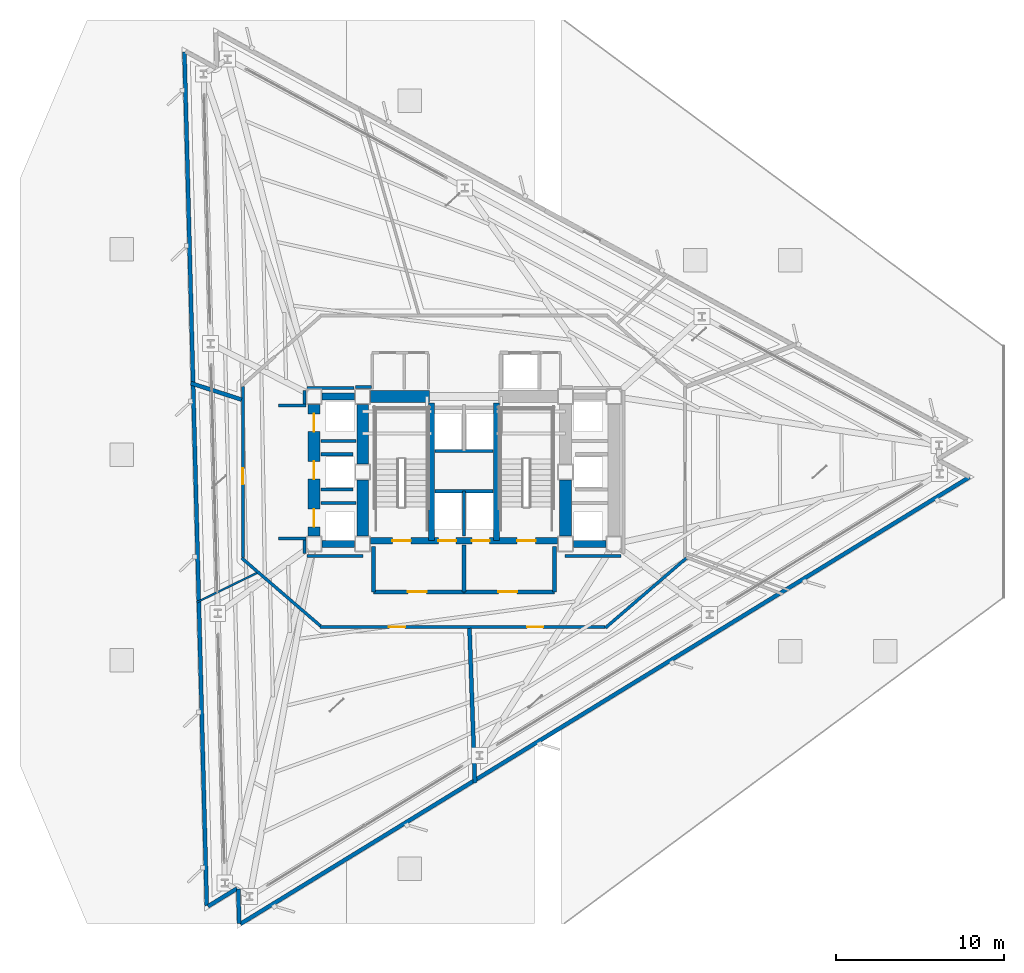
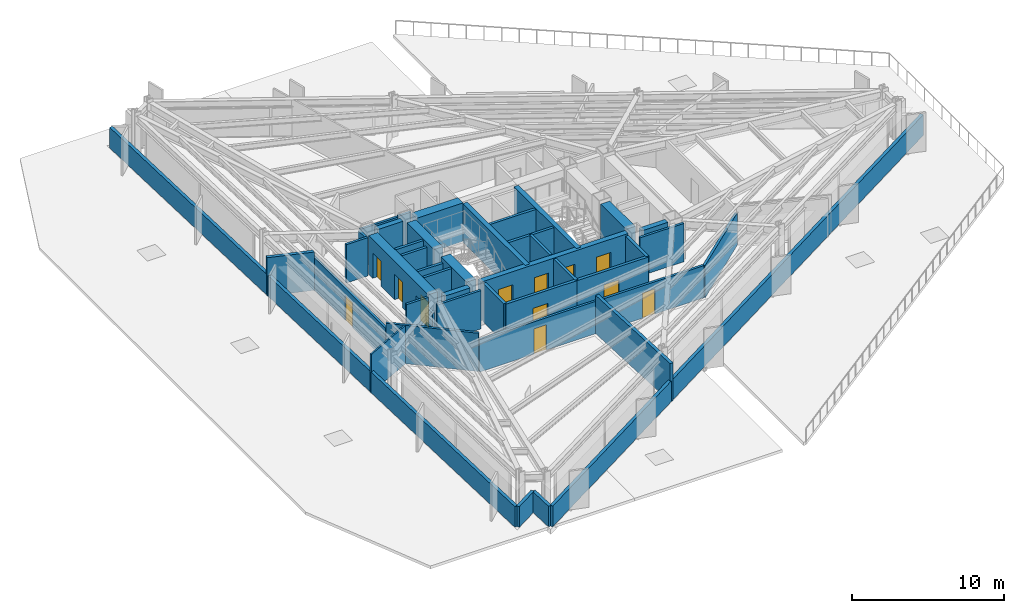
# One storey, part 8 of 13: 42 walls, 12 doors, 12 openings.
"""IFC4 building model written with IfcOpenShell, lengths in metres."""

from ifc_helpers import new_model, si_unit, direction, frame, frame_2d, origin, place, context, subcontext, project, spatial, rectangle, extrude, material, layer, layer_set, type_object, element, fill, save


model = new_model("IFC4")

# Units and contexts
model_context = context("Model", 3, precision=1e-05, world=origin(), true_north=direction((0.0, 1.0)))
body_context = subcontext(model_context, "Body", "Model", "MODEL_VIEW")
ifc_project = project(units=[si_unit("LENGTHUNIT", "METRE"), si_unit("AREAUNIT", "SQUARE_METRE"), si_unit("VOLUMEUNIT", "CUBIC_METRE"), si_unit("PLANEANGLEUNIT", "RADIAN"), si_unit("MASSUNIT", "GRAM", prefix="KILO")], contexts=[model_context])

# Site, building, storey
site_placement = place(None, origin())
site = spatial("IfcSite", under=ifc_project, at=site_placement, CompositionType="ELEMENT")
building_placement = place(site_placement, origin())
building = spatial("IfcBuilding", under=site, at=building_placement, Name="Rocaltana Carrier Exchange", CompositionType="ELEMENT")
storey_placement = place(building_placement, frame((0.0, 0.0, 18.8798828125)))
storey = spatial("IfcBuildingStorey", under=building, at=storey_placement, Name="L06", CompositionType="ELEMENT", Elevation=18.8798828125)

# Walls
ifc_material_1 = material(Name="Concrete C50/60", Category="concrete")
ifc_layer_1 = layer(ifc_material_1, 0.35009765625)
ifc_layer_set_1 = layer_set([ifc_layer_1], Name="Concrete C50/60")
wall_type_1 = type_object("IfcWallType", Name="Core Internal Shear Wall 350", PredefinedType="SHEAR", material=ifc_layer_set_1)
for number, where, z_axis, x_axis, name in (
    (1, (-1.93994140625, -4.10009765625, 0.0), (0.0, 0.0, 1.0), (0.0, 1.0, 0.0), "L06 Core Shear Wall CW-STW"),
    (2, (1.93994140625, -4.10009765625, 0.0), (0.0, 0.0, 1.0), (0.0, 1.0, 0.0), "L06 Core Shear Wall CW-STE"),
):
    element("IfcWall", number, at=place(storey_placement, frame(where, z_axis=z_axis, x_axis=x_axis)), inside=storey, type_object=wall_type_1, Name=name, PredefinedType="SHEAR", context=body_context, shape_type="SweptSolid", body=[
        extrude(rectangle(XDim=8.2001953125, YDim=0.35009765625, at=frame_2d((4.10009765625, 0.0))), origin(), (0.0, 0.0, 1.0), 3.09814453125),
    ])

# Wall, openings, doors
ifc_material_2 = material(Name="Concrete C50/60", Category="concrete")
ifc_layer_2 = layer(ifc_material_2, 0.39990234375)
ifc_layer_set_2 = layer_set([ifc_layer_2], Name="Concrete C50/60")
wall_type_2 = type_object("IfcWallType", Name="Core Internal Shear Wall 400", PredefinedType="SHEAR", material=ifc_layer_set_2)
wall_1_placement = place(storey_placement, frame((-5.574951171875, -4.10009765625, 0.0), z_axis=(0.0, 0.0, 1.0), x_axis=(1.0, 0.0, 0.0)))
wall_1 = element("IfcWall", 3, at=wall_1_placement, inside=storey, type_object=wall_type_2, Name="L06 Core Shear Wall CW-S", PredefinedType="SHEAR", context=body_context, shape_type="SweptSolid", body=[
    extrude(rectangle(XDim=11.14990234375, YDim=0.39990234375, at=frame_2d((5.574951171875, 0.0))), origin(), (0.0, 0.0, 1.0), 3.09814453125),
])
opening_1_placement = place(wall_1_placement, frame((1.304931640625, 0.0, 0.0)))
opening_1 = element("IfcOpeningElement", 4, at=opening_1_placement, cuts=wall_1, Name="Opening D-ST110", PredefinedType="OPENING", context=body_context, shape_type="SweptSolid", body=[
    extrude(rectangle(XDim=1.10009765625, YDim=2.0400390625, at=frame_2d((0.550048828125, 1.02001953125))), frame((0.0, 0.2099609375, 0.0), z_axis=(0.0, -1.0, 0.0), x_axis=(1.0, 0.0, 0.0)), (0.0, 0.0, 1.0), 0.419921875),
])
opening_2_placement = place(wall_1_placement, frame((8.7451171875, 0.0, 0.0)))
opening_2 = element("IfcOpeningElement", 5, at=opening_2_placement, cuts=wall_1, Name="Opening D-ST110", PredefinedType="OPENING", context=body_context, shape_type="SweptSolid", body=[
    extrude(rectangle(XDim=1.10009765625, YDim=2.0400390625, at=frame_2d((0.550048828125, 1.02001953125))), frame((0.0, 0.2099609375, 0.0), z_axis=(0.0, -1.0, 0.0), x_axis=(1.0, 0.0, 0.0)), (0.0, 0.0, 1.0), 0.419921875),
])
opening_3_placement = place(wall_1_placement, frame((4.044921875, 0.0, 0.0)))
opening_3 = element("IfcOpeningElement", 6, at=opening_3_placement, cuts=wall_1, Name="Opening LD-110", PredefinedType="OPENING", context=body_context, shape_type="SweptSolid", body=[
    extrude(rectangle(XDim=1.06005859375, YDim=2.0400390625, at=frame_2d((0.530029296875, 1.02001953125))), frame((0.0, 0.2099609375, 0.0), z_axis=(0.0, -1.0, 0.0), x_axis=(1.0, 0.0, 0.0)), (0.0, 0.0, 1.0), 0.419921875),
])
opening_4_placement = place(wall_1_placement, frame((6.044921875, 0.0, 0.0)))
opening_4 = element("IfcOpeningElement", 7, at=opening_4_placement, cuts=wall_1, Name="Opening LD-110", PredefinedType="OPENING", context=body_context, shape_type="SweptSolid", body=[
    extrude(rectangle(XDim=1.06005859375, YDim=2.0400390625, at=frame_2d((0.530029296875, 1.02001953125))), frame((0.0, 0.2099609375, 0.0), z_axis=(0.0, -1.0, 0.0), x_axis=(1.0, 0.0, 0.0)), (0.0, 0.0, 1.0), 0.419921875),
])
ifc_material_3 = material(Name="Hollow Metal Fire Door Assembly", Category="steel")
door_type_1 = type_object("IfcDoorType", Name="Exit Stair Fire Door 1100x2040 FD90S", OperationType="NOTDEFINED", PredefinedType="DOOR", material=ifc_material_3)
door_1_placement = place(opening_1_placement, origin())
door_1 = element("IfcDoor", 8, at=door_1_placement, inside=storey, type_object=door_type_1, Name="L06 Exit Stair ST1 Fire Door", OperationType="SINGLE_SWING_RIGHT", OverallHeight=2.0400390625, OverallWidth=1.10009765625, PredefinedType="DOOR", context=body_context, shape_type="SweptSolid", body=[
    extrude(rectangle(XDim=1.10009765625, YDim=2.0400390625, at=frame_2d((0.550048828125, 1.02001953125))), frame((0.0, 0.02490234375, 0.0), z_axis=(0.0, -1.0, 0.0), x_axis=(1.0, 0.0, 0.0)), (0.0, 0.0, 1.0), 0.050048828125),
])
fill(opening_1, door_1)
door_2_placement = place(opening_2_placement, origin())
door_2 = element("IfcDoor", 9, at=door_2_placement, inside=storey, type_object=door_type_1, Name="L06 Exit Stair ST2 Fire Door", OperationType="SINGLE_SWING_LEFT", OverallHeight=2.0400390625, OverallWidth=1.10009765625, PredefinedType="DOOR", context=body_context, shape_type="SweptSolid", body=[
    extrude(rectangle(XDim=1.10009765625, YDim=2.0400390625, at=frame_2d((0.550048828125, 1.02001953125))), frame((0.0, 0.02490234375, 0.0), z_axis=(0.0, -1.0, 0.0), x_axis=(1.0, 0.0, 0.0)), (0.0, 0.0, 1.0), 0.050048828125),
])
fill(opening_2, door_2)
ifc_material_4 = material(Name="Brushed Stainless Sliding Door Leaf", Category="steel")
door_type_2 = type_object("IfcDoorType", Name="Lift Landing Sliding Door 1060x2040", OperationType="NOTDEFINED", PredefinedType="DOOR", material=ifc_material_4)
door_3_placement = place(opening_3_placement, origin())
door_3 = element("IfcDoor", 10, at=door_3_placement, inside=storey, type_object=door_type_2, Name="L06 Firefighting Lift FFL1 Landing Door", OperationType="SLIDING_TO_LEFT", OverallHeight=2.0400390625, OverallWidth=1.06005859375, PredefinedType="DOOR", context=body_context, shape_type="SweptSolid", body=[
    extrude(rectangle(XDim=1.06005859375, YDim=2.0400390625, at=frame_2d((0.530029296875, 1.02001953125))), frame((0.0, 0.02490234375, 0.0), z_axis=(0.0, -1.0, 0.0), x_axis=(1.0, 0.0, 0.0)), (0.0, 0.0, 1.0), 0.050048828125),
])
fill(opening_3, door_3)
door_4_placement = place(opening_4_placement, origin())
door_4 = element("IfcDoor", 11, at=door_4_placement, inside=storey, type_object=door_type_2, Name="L06 Firefighting Lift FFL2 Landing Door", OperationType="SLIDING_TO_RIGHT", OverallHeight=2.0400390625, OverallWidth=1.06005859375, PredefinedType="DOOR", context=body_context, shape_type="SweptSolid", body=[
    extrude(rectangle(XDim=1.06005859375, YDim=2.0400390625, at=frame_2d((0.530029296875, 1.02001953125))), frame((0.0, 0.02490234375, 0.0), z_axis=(0.0, -1.0, 0.0), x_axis=(1.0, 0.0, 0.0)), (0.0, 0.0, 1.0), 0.050048828125),
])
fill(opening_4, door_4)

# Walls
for number, where, z_axis, x_axis, name in (
    (12, (-8.47509765625, 4.5, 0.0), (0.0, 0.0, 1.0), (1.0, 0.0, 0.0), "L06 Core Shear Wall CW-WWN"),
    (13, (-8.47509765625, -4.300048828125, 0.0), (0.0, 0.0, 1.0), (1.0, 0.0, 0.0), "L06 Core Shear Wall CW-WWS"),
    (14, (6.52490234375, -4.300048828125, 0.0), (0.0, 0.0, 1.0), (1.0, 0.0, 0.0), "L06 Core Shear Wall CW-EWS"),
):
    element("IfcWall", number, at=place(storey_placement, frame(where, z_axis=z_axis, x_axis=x_axis)), inside=storey, type_object=wall_type_2, Name=name, PredefinedType="SHEAR", context=body_context, shape_type="SweptSolid", body=[
        extrude(rectangle(XDim=1.9501953125, YDim=0.39990234375, at=frame_2d((0.97509765625, 0.0))), origin(), (0.0, 0.0, 1.0), 3.09814453125),
    ])
ifc_material_5 = material(Name="Concrete C60/75", Category="concrete")
ifc_layer_3 = layer(ifc_material_5, 0.699951171875)
ifc_layer_set_3 = layer_set([ifc_layer_3], Name="Concrete C60/75")
wall_type_3 = type_object("IfcWallType", Name="Core Shear Wall 700", PredefinedType="SHEAR", material=ifc_layer_set_3)
wall_2_placement = place(storey_placement, frame((-6.050048828125, 0.47509765625, 0.0), z_axis=(0.0, 0.0, 1.0), x_axis=(0.0, 1.0, 0.0)))
element("IfcWall", 15, at=wall_2_placement, inside=storey, type_object=wall_type_3, Name="L06 Core Shear Wall CW-WN", PredefinedType="SHEAR", context=body_context, shape_type="SweptSolid", body=[
    extrude(rectangle(XDim=3.5498046875, YDim=0.699951171875, at=frame_2d((1.77490234375, 0.0))), origin(), (0.0, 0.0, 1.0), 3.09814453125),
])
for number, where, z_axis, x_axis, name in (
    (16, (-6.050048828125, -3.824951171875, 0.0), (0.0, 0.0, 1.0), (0.0, 1.0, 0.0), "L06 Core Shear Wall CW-WS"),
    (17, (6.050048828125, -3.824951171875, 0.0), (0.0, 0.0, 1.0), (0.0, 1.0, 0.0), "L06 Core Shear Wall CW-ES"),
):
    element("IfcWall", number, at=place(storey_placement, frame(where, z_axis=z_axis, x_axis=x_axis)), inside=storey, type_object=wall_type_3, Name=name, PredefinedType="SHEAR", context=body_context, shape_type="SweptSolid", body=[
        extrude(rectangle(XDim=3.349853515625, YDim=0.699951171875, at=frame_2d((1.6748046875, 0.0))), origin(), (0.0, 0.0, 1.0), 3.09814453125),
    ])
wall_3_placement = place(storey_placement, frame((-5.574951171875, 4.5, 0.0), z_axis=(0.0, 0.0, 1.0), x_axis=(1.0, 0.0, 0.0)))
element("IfcWall", 18, at=wall_3_placement, inside=storey, type_object=wall_type_3, Name="L06 Core Shear Wall CW-N1", PredefinedType="SHEAR", context=body_context, shape_type="SweptSolid", body=[
    extrude(rectangle(XDim=3.52490234375, YDim=0.699951171875, at=frame_2d((1.762451171875, 0.0))), origin(), (0.0, 0.0, 1.0), 3.09814453125),
])

# Wall, openings, doors
wall_4_placement = place(storey_placement, frame((-8.949951171875, -3.824951171875, 0.0), z_axis=(0.0, 0.0, 1.0), x_axis=(0.0, 1.0, 0.0)))
wall_4 = element("IfcWall", 19, at=wall_4_placement, inside=storey, type_object=wall_type_3, Name="L06 Core Shear Wall CW-WW", PredefinedType="SHEAR", context=body_context, shape_type="SweptSolid", body=[
    extrude(rectangle(XDim=7.849853515625, YDim=0.699951171875, at=frame_2d((3.9248046875, 0.0))), origin(), (0.0, 0.0, 1.0), 3.09814453125),
])
opening_5_placement = place(wall_4_placement, frame((0.550048828125, 0.0, 0.0)))
opening_5 = element("IfcOpeningElement", 20, at=opening_5_placement, cuts=wall_4, Name="Opening LD-110", PredefinedType="OPENING", context=body_context, shape_type="SweptSolid", body=[
    extrude(rectangle(XDim=1.06005859375, YDim=2.0400390625, at=frame_2d((0.530029296875, 1.02001953125))), frame((0.0, 0.35986328125, 0.0), z_axis=(0.0, -1.0, 0.0), x_axis=(1.0, 0.0, 0.0)), (0.0, 0.0, 1.0), 0.719970703125),
])
opening_6_placement = place(wall_4_placement, frame((3.39501953125, 0.0, 0.0)))
opening_6 = element("IfcOpeningElement", 21, at=opening_6_placement, cuts=wall_4, Name="Opening LD-110", PredefinedType="OPENING", context=body_context, shape_type="SweptSolid", body=[
    extrude(rectangle(XDim=1.06005859375, YDim=2.0400390625, at=frame_2d((0.530029296875, 1.02001953125))), frame((0.0, 0.35986328125, 0.0), z_axis=(0.0, -1.0, 0.0), x_axis=(1.0, 0.0, 0.0)), (0.0, 0.0, 1.0), 0.719970703125),
])
opening_7_placement = place(wall_4_placement, frame((6.22998046875, 0.0, 0.0)))
opening_7 = element("IfcOpeningElement", 22, at=opening_7_placement, cuts=wall_4, Name="Opening LD-110", PredefinedType="OPENING", context=body_context, shape_type="SweptSolid", body=[
    extrude(rectangle(XDim=1.06005859375, YDim=2.0400390625, at=frame_2d((0.530029296875, 1.02001953125))), frame((0.0, 0.35986328125, 0.0), z_axis=(0.0, -1.0, 0.0), x_axis=(1.0, 0.0, 0.0)), (0.0, 0.0, 1.0), 0.719970703125),
])
door_5_placement = place(opening_5_placement, origin())
door_5 = element("IfcDoor", 23, at=door_5_placement, inside=storey, type_object=door_type_2, Name="L06 Low-Rise Lift PL-L1 Landing Door", OperationType="SLIDING_TO_LEFT", OverallHeight=2.0400390625, OverallWidth=1.06005859375, PredefinedType="DOOR", context=body_context, shape_type="SweptSolid", body=[
    extrude(rectangle(XDim=1.06005859375, YDim=2.0400390625, at=frame_2d((0.530029296875, 1.02001953125))), frame((0.0, 0.02490234375, 0.0), z_axis=(0.0, -1.0, 0.0), x_axis=(1.0, 0.0, 0.0)), (0.0, 0.0, 1.0), 0.050048828125),
])
fill(opening_5, door_5)
door_6_placement = place(opening_6_placement, origin())
door_6 = element("IfcDoor", 24, at=door_6_placement, inside=storey, type_object=door_type_2, Name="L06 Low-Rise Lift PL-L2 Landing Door", OperationType="SLIDING_TO_RIGHT", OverallHeight=2.0400390625, OverallWidth=1.06005859375, PredefinedType="DOOR", context=body_context, shape_type="SweptSolid", body=[
    extrude(rectangle(XDim=1.06005859375, YDim=2.0400390625, at=frame_2d((0.530029296875, 1.02001953125))), frame((0.0, 0.02490234375, 0.0), z_axis=(0.0, -1.0, 0.0), x_axis=(1.0, 0.0, 0.0)), (0.0, 0.0, 1.0), 0.050048828125),
])
fill(opening_6, door_6)
door_7_placement = place(opening_7_placement, origin())
door_7 = element("IfcDoor", 25, at=door_7_placement, inside=storey, type_object=door_type_2, Name="L06 Low-Rise Lift PL-L3 Landing Door", OperationType="SLIDING_TO_LEFT", OverallHeight=2.0400390625, OverallWidth=1.06005859375, PredefinedType="DOOR", context=body_context, shape_type="SweptSolid", body=[
    extrude(rectangle(XDim=1.06005859375, YDim=2.0400390625, at=frame_2d((0.530029296875, 1.02001953125))), frame((0.0, 0.02490234375, 0.0), z_axis=(0.0, -1.0, 0.0), x_axis=(1.0, 0.0, 0.0)), (0.0, 0.0, 1.0), 0.050048828125),
])
fill(opening_7, door_7)

# Wall
ifc_material_6 = material(Name="Gypsum & Steel Stud Partition", Category="steel")
ifc_layer_4 = layer(ifc_material_6, 0.179931640625)
ifc_layer_set_4 = layer_set([ifc_layer_4], Name="Gypsum & Steel Stud Partition")
wall_type_4 = type_object("IfcWallType", Name="Corridor Fire Partition 180 EI60", PredefinedType="PARTITIONING", material=ifc_layer_set_4)
wall_5_placement = place(storey_placement, frame((13.268310546875, -5.14111328125, 0.0), z_axis=(0.0, 0.0, 1.0), x_axis=(-0.757534501725, -0.65279512766, 0.0)))
element("IfcWall", 26, at=wall_5_placement, inside=storey, type_object=wall_type_4, Name="L06 Corridor Partition 4", PredefinedType="PARTITIONING", context=body_context, shape_type="SweptSolid", body=[
    extrude(rectangle(XDim=6.384521484375, YDim=0.179931640625, at=frame_2d((3.1923828125, 0.0))), origin(), (0.0, 0.0, 1.0), 2.587158203125),
])

# Wall, openings, doors
wall_6_placement = place(storey_placement, frame((8.409912109375, -9.25, 0.0), z_axis=(0.0, 0.0, 1.0), x_axis=(-1.0, 0.0, 0.0)))
wall_6 = element("IfcWall", 27, at=wall_6_placement, inside=storey, type_object=wall_type_4, Name="L06 Corridor Partition 5", PredefinedType="PARTITIONING", context=body_context, shape_type="SweptSolid", body=[
    extrude(rectangle(XDim=17.0, YDim=0.179931640625, at=frame_2d((8.5, 0.0))), origin(), (0.0, 0.0, 1.0), 2.587158203125),
])
opening_8_placement = place(wall_6_placement, frame((11.931884765625, 0.0, 0.0)))
opening_8 = element("IfcOpeningElement", 28, at=opening_8_placement, cuts=wall_6, Name="Opening D-RM098", PredefinedType="OPENING", context=body_context, shape_type="SweptSolid", body=[
    extrude(rectangle(XDim=0.9599609375, YDim=2.02001953125, at=frame_2d((0.47998046875, 1.010009765625))), frame((0.0, 0.099853515625, 0.0), z_axis=(0.0, -1.0, 0.0), x_axis=(1.0, 0.0, 0.0)), (0.0, 0.0, 1.0), 0.199951171875),
])
opening_9_placement = place(wall_6_placement, frame((3.692138671875, 0.0, 0.0)))
opening_9 = element("IfcOpeningElement", 29, at=opening_9_placement, cuts=wall_6, Name="Opening D-RM098", PredefinedType="OPENING", context=body_context, shape_type="SweptSolid", body=[
    extrude(rectangle(XDim=0.9599609375, YDim=2.02001953125, at=frame_2d((0.47998046875, 1.010009765625))), frame((0.0, 0.099853515625, 0.0), z_axis=(0.0, -1.0, 0.0), x_axis=(1.0, 0.0, 0.0)), (0.0, 0.0, 1.0), 0.199951171875),
])
ifc_material_7 = material(Name="Engineered Hardwood Timber", Category="wood")
door_type_3 = type_object("IfcDoorType", Name="Workspace Single Door 960x2020", OperationType="NOTDEFINED", PredefinedType="DOOR", material=ifc_material_7)
door_8_placement = place(opening_8_placement, origin())
door_8 = element("IfcDoor", 30, at=door_8_placement, inside=storey, type_object=door_type_3, Name="L06 Network Operations Office Entrance Door", OperationType="SINGLE_SWING_RIGHT", OverallHeight=2.02001953125, OverallWidth=0.9599609375, PredefinedType="DOOR", context=body_context, shape_type="SweptSolid", body=[
    extrude(rectangle(XDim=0.9599609375, YDim=2.02001953125, at=frame_2d((0.47998046875, 1.010009765625))), frame((0.0, 0.02490234375, 0.0), z_axis=(0.0, -1.0, 0.0), x_axis=(1.0, 0.0, 0.0)), (0.0, 0.0, 1.0), 0.050048828125),
])
fill(opening_8, door_8)
door_9_placement = place(opening_9_placement, origin())
door_9 = element("IfcDoor", 31, at=door_9_placement, inside=storey, type_object=door_type_3, Name="L06 Cloud Architecture Office Entrance Door", OperationType="SINGLE_SWING_LEFT", OverallHeight=2.02001953125, OverallWidth=0.9599609375, PredefinedType="DOOR", context=body_context, shape_type="SweptSolid", body=[
    extrude(rectangle(XDim=0.9599609375, YDim=2.02001953125, at=frame_2d((0.47998046875, 1.010009765625))), frame((0.0, 0.02490234375, 0.0), z_axis=(0.0, -1.0, 0.0), x_axis=(1.0, 0.0, 0.0)), (0.0, 0.0, 1.0), 0.050048828125),
])
fill(opening_9, door_9)

# Wall
wall_7_placement = place(storey_placement, frame((-8.568115234375, -9.191162109375, 0.0), z_axis=(0.0, 0.0, 1.0), x_axis=(-0.757556899173, 0.652769135694, 0.0)))
element("IfcWall", 32, at=wall_7_placement, inside=storey, type_object=wall_type_4, Name="L06 Corridor Partition 6", PredefinedType="PARTITIONING", context=body_context, shape_type="SweptSolid", body=[
    extrude(rectangle(XDim=6.204345703125, YDim=0.179931640625, at=frame_2d((3.10205078125, 0.0))), origin(), (0.0, 0.0, 1.0), 3.072998046875),
])

# Wall, opening, door
wall_8_placement = place(storey_placement, frame((-13.199951171875, -5.110107421875, 0.0), z_axis=(0.0, 0.0, 1.0), x_axis=(0.0, 1.0, 0.0)))
wall_8 = element("IfcWall", 33, at=wall_8_placement, inside=storey, type_object=wall_type_4, Name="L06 Corridor Partition 7", PredefinedType="PARTITIONING", context=body_context, shape_type="SweptSolid", body=[
    extrude(rectangle(XDim=10.22021484375, YDim=0.179931640625, at=frame_2d((5.110107421875, 0.0))), origin(), (0.0, 0.0, 1.0), 2.587158203125),
])
opening_10_placement = place(wall_8_placement, frame((4.361328125, 0.0, 0.0)))
opening_10 = element("IfcOpeningElement", 34, at=opening_10_placement, cuts=wall_8, Name="Opening D-RM098", PredefinedType="OPENING", context=body_context, shape_type="SweptSolid", body=[
    extrude(rectangle(XDim=0.9599609375, YDim=2.02001953125, at=frame_2d((0.47998046875, 1.010009765625))), frame((0.0, 0.099853515625, 0.0), z_axis=(0.0, -1.0, 0.0), x_axis=(1.0, 0.0, 0.0)), (0.0, 0.0, 1.0), 0.199951171875),
])
door_10_placement = place(opening_10_placement, origin())
door_10 = element("IfcDoor", 35, at=door_10_placement, inside=storey, type_object=door_type_3, Name="L06 Cloud Architecture Office Entrance Door", OperationType="SINGLE_SWING_LEFT", OverallHeight=2.02001953125, OverallWidth=0.9599609375, PredefinedType="DOOR", context=body_context, shape_type="SweptSolid", body=[
    extrude(rectangle(XDim=0.9599609375, YDim=2.02001953125, at=frame_2d((0.47998046875, 1.010009765625))), frame((0.0, 0.02490234375, 0.0), z_axis=(0.0, -1.0, 0.0), x_axis=(1.0, 0.0, 0.0)), (0.0, 0.0, 1.0), 0.050048828125),
])
fill(opening_10, door_10)

# Walls
wall_9_placement = place(storey_placement, frame((-9.510009765625, 4.8701171875, 0.0), z_axis=(0.0, 0.0, 1.0), x_axis=(0.0, -1.0, 0.0)))
element("IfcWall", 36, at=wall_9_placement, inside=storey, type_object=wall_type_4, Name="L06 Corridor Partition 9", PredefinedType="PARTITIONING", context=body_context, shape_type="SweptSolid", body=[
    extrude(rectangle(XDim=0.820068359375, YDim=0.179931640625, at=frame_2d((0.41015625, 0.0))), origin(), (0.0, 0.0, 1.0), 3.072998046875),
])
for number, where, z_axis, x_axis, name in (
    (37, (-9.419921875, 3.9599609375, 0.0), (0.0, 0.0, 1.0), (-1.0, 0.0, 0.0), "L06 Corridor Partition 10"),
    (38, (-11.070068359375, -3.9599609375, 0.0), (0.0, 0.0, 1.0), (1.0, 0.0, 0.0), "L06 Corridor Partition 11"),
):
    element("IfcWall", number, at=place(storey_placement, frame(where, z_axis=z_axis, x_axis=x_axis)), inside=storey, type_object=wall_type_4, Name=name, PredefinedType="PARTITIONING", context=body_context, shape_type="SweptSolid", body=[
        extrude(rectangle(XDim=1.650146484375, YDim=0.179931640625, at=frame_2d((0.8251953125, 0.0))), origin(), (0.0, 0.0, 1.0), 3.072998046875),
    ])
wall_10_placement = place(storey_placement, frame((-9.510009765625, -4.050048828125, 0.0), z_axis=(0.0, 0.0, 1.0), x_axis=(0.0, -1.0, 0.0)))
element("IfcWall", 39, at=wall_10_placement, inside=storey, type_object=wall_type_4, Name="L06 Corridor Partition 12", PredefinedType="PARTITIONING", context=body_context, shape_type="SweptSolid", body=[
    extrude(rectangle(XDim=0.820068359375, YDim=0.179931640625, at=frame_2d((0.41015625, 0.0))), origin(), (0.0, 0.0, 1.0), 2.358154296875),
])
for number, where, z_axis, x_axis, name in (
    (40, (-9.3701171875, -5.010009765625, 0.0), (0.0, 0.0, 1.0), (1.0, 0.0, 0.0), "L06 Corridor Partition 13"),
    (41, (6.030029296875, -5.010009765625, 0.0), (0.0, 0.0, 1.0), (1.0, 0.0, 0.0), "L06 Corridor Partition 16"),
):
    element("IfcWall", number, at=place(storey_placement, frame(where, z_axis=z_axis, x_axis=x_axis)), inside=storey, type_object=wall_type_4, Name=name, PredefinedType="PARTITIONING", context=body_context, shape_type="SweptSolid", body=[
        extrude(rectangle(XDim=3.340087890625, YDim=0.179931640625, at=frame_2d((1.669921875, 0.0))), origin(), (0.0, 0.0, 1.0), 3.072998046875),
    ])
wall_11_placement = place(storey_placement, frame((-5.52001953125, 5.080078125, 0.0), z_axis=(0.0, 0.0, 1.0), x_axis=(-1.0, 0.0, 0.0)))
element("IfcWall", 42, at=wall_11_placement, inside=storey, type_object=wall_type_4, Name="L06 Corridor Partition 22", PredefinedType="PARTITIONING", context=body_context, shape_type="SweptSolid", body=[
    extrude(rectangle(XDim=0.949951171875, YDim=0.179931640625, at=frame_2d((0.47509765625, 0.0))), origin(), (0.0, 0.0, 1.0), 3.072998046875),
])
wall_12_placement = place(storey_placement, frame((-6.562255859375, 5.010009765625, 0.0), z_axis=(0.0, 0.0, 1.0), x_axis=(-1.0, 0.0, 0.0)))
element("IfcWall", 43, at=wall_12_placement, inside=storey, type_object=wall_type_4, Name="L06 Corridor Partition 23", PredefinedType="PARTITIONING", context=body_context, shape_type="SweptSolid", body=[
    extrude(rectangle(XDim=2.807861328125, YDim=0.179931640625, at=frame_2d((1.40380859375, 0.0))), origin(), (0.0, 0.0, 1.0), 3.072998046875),
])
ifc_material_8 = material(Name="Aluminium 6063-T6 & Acoustic Glass", Category="aluminium")
ifc_layer_5 = layer(ifc_material_8, 0.114990234375)
ifc_layer_set_5 = layer_set([ifc_layer_5], Name="Aluminium 6063-T6 & Acoustic Glass")
wall_type_5 = type_object("IfcWallType", Name="Demountable Glazed Lab Partition 115", PredefinedType="MOVABLE", material=ifc_layer_set_5)
wall_13_placement = place(storey_placement, frame((-12.36083984375, -6.02880859375, 0.0), z_axis=(0.0, 0.0, 1.0), x_axis=(-0.898800692661, -0.438357519466, 0.0)))
element("IfcWall", 44, at=wall_13_placement, inside=storey, type_object=wall_type_5, Name="L06 Suite Divider Wall D1", PredefinedType="MOVABLE", context=body_context, shape_type="SweptSolid", body=[
    extrude(rectangle(XDim=4.001708984375, YDim=0.114990234375, at=frame_2d((2.0009765625, 0.0))), origin(), (0.0, 0.0, 1.0), 3.072998046875),
])
ifc_material_9 = material(Name="Autoclaved Aerated Concrete C30/37", Category="concrete")
ifc_layer_6 = layer(ifc_material_9, 0.219970703125)
ifc_layer_set_6 = layer_set([ifc_layer_6], Name="Autoclaved Aerated Concrete C30/37")
wall_type_6 = type_object("IfcWallType", Name="Firefighting Lobby Wall 220 EI120", PredefinedType="PARTITIONING", material=ifc_layer_set_6)
for number, where, z_axis, x_axis, name in (
    (45, (-5.39990234375, -7.159912109375, 0.0), (0.0, 0.0, 1.0), (0.0, 1.0, 0.0), "L06 FFL Lobby 1 West Wall"),
    (46, (5.39990234375, -7.159912109375, 0.0), (0.0, 0.0, 1.0), (0.0, 1.0, 0.0), "L06 FFL Lobby 2 East Wall"),
):
    element("IfcWall", number, at=place(storey_placement, frame(where, z_axis=z_axis, x_axis=x_axis)), inside=storey, type_object=wall_type_6, Name=name, PredefinedType="PARTITIONING", context=body_context, shape_type="SweptSolid", body=[
        extrude(rectangle(XDim=2.7099609375, YDim=0.219970703125, at=frame_2d((1.35498046875, 0.0))), origin(), (0.0, 0.0, 1.0), 3.072998046875),
    ])
wall_14_placement = place(storey_placement, frame((0.0, -7.159912109375, 0.0), z_axis=(0.0, 0.0, 1.0), x_axis=(0.0, 1.0, 0.0)))
element("IfcWall", 47, at=wall_14_placement, inside=storey, type_object=wall_type_6, Name="L06 FFL Lobby Centre Wall", PredefinedType="PARTITIONING", context=body_context, shape_type="SweptSolid", body=[
    extrude(rectangle(XDim=2.809814453125, YDim=0.219970703125, at=frame_2d((1.40478515625, 0.0))), origin(), (0.0, 0.0, 1.0), 3.072998046875),
])

# Wall, opening, door
wall_15_placement = place(storey_placement, frame((-5.39990234375, -7.159912109375, 0.0), z_axis=(0.0, 0.0, 1.0), x_axis=(1.0, 0.0, 0.0)))
wall_15 = element("IfcWall", 48, at=wall_15_placement, inside=storey, type_object=wall_type_6, Name="L06 FFL Lobby 1 South Wall", PredefinedType="PARTITIONING", context=body_context, shape_type="SweptSolid", body=[
    extrude(rectangle(XDim=5.39990234375, YDim=0.219970703125, at=frame_2d((2.699951171875, 0.0))), origin(), (0.0, 0.0, 1.0), 3.072998046875),
])
opening_11_placement = place(wall_15_placement, frame((2.050048828125, 0.0, 0.0)))
opening_11 = element("IfcOpeningElement", 49, at=opening_11_placement, cuts=wall_15, Name="Opening D-FF115", PredefinedType="OPENING", context=body_context, shape_type="SweptSolid", body=[
    extrude(rectangle(XDim=1.1201171875, YDim=2.02001953125, at=frame_2d((0.56005859375, 1.010009765625))), frame((0.0, 0.119873046875, 0.0), z_axis=(0.0, -1.0, 0.0), x_axis=(1.0, 0.0, 0.0)), (0.0, 0.0, 1.0), 0.239990234375),
])
ifc_material_10 = material(Name="Hollow Metal Fire Door Assembly", Category="steel")
door_type_4 = type_object("IfcDoorType", Name="Firefighting Lobby Door 1120x2020 FD60S", OperationType="NOTDEFINED", PredefinedType="DOOR", material=ifc_material_10)
door_11_placement = place(opening_11_placement, origin())
door_11 = element("IfcDoor", 50, at=door_11_placement, inside=storey, type_object=door_type_4, Name="L06 Firefighting Lift Lobby 1 Door", OperationType="SINGLE_SWING_RIGHT", OverallHeight=2.02001953125, OverallWidth=1.1201171875, PredefinedType="DOOR", context=body_context, shape_type="SweptSolid", body=[
    extrude(rectangle(XDim=1.1201171875, YDim=2.02001953125, at=frame_2d((0.56005859375, 1.010009765625))), frame((0.0, 0.02490234375, 0.0), z_axis=(0.0, -1.0, 0.0), x_axis=(1.0, 0.0, 0.0)), (0.0, 0.0, 1.0), 0.050048828125),
])
fill(opening_11, door_11)

wall_16_placement = place(storey_placement, frame((0.0, -7.159912109375, 0.0), z_axis=(0.0, 0.0, 1.0), x_axis=(1.0, 0.0, 0.0)))
wall_16 = element("IfcWall", 51, at=wall_16_placement, inside=storey, type_object=wall_type_6, Name="L06 FFL Lobby 2 South Wall", PredefinedType="PARTITIONING", context=body_context, shape_type="SweptSolid", body=[
    extrude(rectangle(XDim=5.39990234375, YDim=0.219970703125, at=frame_2d((2.699951171875, 0.0))), origin(), (0.0, 0.0, 1.0), 3.072998046875),
])
opening_12_placement = place(wall_16_placement, frame((2.050048828125, 0.0, 0.0)))
opening_12 = element("IfcOpeningElement", 52, at=opening_12_placement, cuts=wall_16, Name="Opening D-FF115", PredefinedType="OPENING", context=body_context, shape_type="SweptSolid", body=[
    extrude(rectangle(XDim=1.1201171875, YDim=2.02001953125, at=frame_2d((0.56005859375, 1.010009765625))), frame((0.0, 0.119873046875, 0.0), z_axis=(0.0, -1.0, 0.0), x_axis=(1.0, 0.0, 0.0)), (0.0, 0.0, 1.0), 0.239990234375),
])
door_12_placement = place(opening_12_placement, origin())
door_12 = element("IfcDoor", 53, at=door_12_placement, inside=storey, type_object=door_type_4, Name="L06 Firefighting Lift Lobby 2 Door", OperationType="SINGLE_SWING_LEFT", OverallHeight=2.02001953125, OverallWidth=1.1201171875, PredefinedType="DOOR", context=body_context, shape_type="SweptSolid", body=[
    extrude(rectangle(XDim=1.1201171875, YDim=2.02001953125, at=frame_2d((0.56005859375, 1.010009765625))), frame((0.0, 0.02490234375, 0.0), z_axis=(0.0, -1.0, 0.0), x_axis=(1.0, 0.0, 0.0)), (0.0, 0.0, 1.0), 0.050048828125),
])
fill(opening_12, door_12)

# Walls
ifc_material_11 = material(Name="Acoustic Calcium Silicate Partition", Category="gypsum")
ifc_layer_7 = layer(ifc_material_11, 0.239990234375)
ifc_layer_set_7 = layer_set([ifc_layer_7], Name="Acoustic Calcium Silicate Partition")
wall_type_7 = type_object("IfcWallType", Name="Heavy Lab Partition 240 EI90", PredefinedType="PARTITIONING", material=ifc_layer_set_7)
wall_17_placement = place(storey_placement, frame((0.32568359375, -9.330078125, 0.0), z_axis=(0.0, 0.0, 1.0), x_axis=(0.034901543767, -0.999390755532, 0.0)))
element("IfcWall", 54, at=wall_17_placement, inside=storey, type_object=wall_type_7, Name="L06 Suite Divider Wall D2", PredefinedType="PARTITIONING", context=body_context, shape_type="SweptSolid", body=[
    extrude(rectangle(XDim=9.2265625, YDim=0.239990234375, at=frame_2d((4.61328125, 0.0))), origin(), (0.0, 0.0, 1.0), 3.072998046875),
])
wall_18_placement = place(storey_placement, frame((-13.280029296875, 4.31494140625, 0.0), z_axis=(0.0, 0.0, 1.0), x_axis=(-0.951062315171, 0.3089991467, 0.0)))
element("IfcWall", 55, at=wall_18_placement, inside=storey, type_object=wall_type_7, Name="L06 Suite Divider Wall D8", PredefinedType="PARTITIONING", context=body_context, shape_type="SweptSolid", body=[
    extrude(rectangle(XDim=3.175537109375, YDim=0.239990234375, at=frame_2d((1.587890625, 0.0))), origin(), (0.0, 0.0, 1.0), 3.072998046875),
])
ifc_material_12 = material(Name="Reinforced Concrete Block C35/45", Category="concrete")
ifc_layer_8 = layer(ifc_material_12, 0.199951171875)
ifc_layer_set_8 = layer_set([ifc_layer_8], Name="Reinforced Concrete Block C35/45")
wall_type_8 = type_object("IfcWallType", Name="Lift Hoistway Enclosure Wall 200 EI120", PredefinedType="PARTITIONING", material=ifc_layer_set_8)
wall_19_placement = place(storey_placement, frame((0.0, -3.820068359375, 0.0), z_axis=(0.0, 0.0, 1.0), x_axis=(0.0, 1.0, 0.0)))
element("IfcWall", 56, at=wall_19_placement, inside=storey, type_object=wall_type_8, Name="L06 FFL Shaft Divider", PredefinedType="PARTITIONING", context=body_context, shape_type="SweptSolid", body=[
    extrude(rectangle(XDim=2.670166015625, YDim=0.199951171875, at=frame_2d((1.3349609375, 0.0))), origin(), (0.0, 0.0, 1.0), 3.072998046875),
])
for number, where, z_axis, x_axis, name in (
    (57, (-1.719970703125, -1.14990234375, 0.0), (0.0, 0.0, 1.0), (1.0, 0.0, 0.0), "L06 FFL Shaft Back Wall"),
    (58, (-1.719970703125, 1.25, 0.0), (0.0, 0.0, 1.0), (1.0, 0.0, 0.0), "L06 High-Rise Shaft Back Wall"),
):
    element("IfcWall", number, at=place(storey_placement, frame(where, z_axis=z_axis, x_axis=x_axis)), inside=storey, type_object=wall_type_8, Name=name, PredefinedType="PARTITIONING", context=body_context, shape_type="SweptSolid", body=[
        extrude(rectangle(XDim=3.43994140625, YDim=0.199951171875, at=frame_2d((1.719970703125, 0.0))), origin(), (0.0, 0.0, 1.0), 3.072998046875),
    ])
for number, where, z_axis, x_axis, name in (
    (59, (-8.550048828125, -1.85009765625, 0.0), (0.0, 0.0, 1.0), (1.0, 0.0, 0.0), "L06 Low-Rise Shaft Divider 1"),
    (60, (-8.550048828125, 1.85009765625, 0.0), (0.0, 0.0, 1.0), (1.0, 0.0, 0.0), "L06 Low-Rise Shaft Divider 2"),
):
    element("IfcWall", number, at=place(storey_placement, frame(where, z_axis=z_axis, x_axis=x_axis)), inside=storey, type_object=wall_type_8, Name=name, PredefinedType="PARTITIONING", context=body_context, shape_type="SweptSolid", body=[
        extrude(rectangle(XDim=2.10009765625, YDim=0.199951171875, at=frame_2d((1.050048828125, 0.0))), origin(), (0.0, 0.0, 1.0), 3.072998046875),
    ])
for number, where, z_axis, x_axis, name in (
    (61, (-8.550048828125, -1.050048828125, 0.0), (0.0, 0.0, 1.0), (1.0, 0.0, 0.0), "L06 Low-Rise Center Shaft Wall South"),
    (62, (-8.550048828125, 1.050048828125, 0.0), (0.0, 0.0, 1.0), (1.0, 0.0, 0.0), "L06 Low-Rise Center Shaft Wall North"),
):
    element("IfcWall", number, at=place(storey_placement, frame(where, z_axis=z_axis, x_axis=x_axis)), inside=storey, type_object=wall_type_8, Name=name, PredefinedType="PARTITIONING", context=body_context, shape_type="SweptSolid", body=[
        extrude(rectangle(XDim=1.91015625, YDim=0.199951171875, at=frame_2d((0.955078125, 0.0))), origin(), (0.0, 0.0, 1.0), 3.072998046875),
    ])
ifc_material_13 = material(Name="Precast sandstone concrete C40/50", Category="masonry")
ifc_layer_9 = layer(ifc_material_13, 0.239990234375)
ifc_layer_set_9 = layer_set([ifc_layer_9], Name="Precast sandstone concrete C40/50")
wall_type_9 = type_object("IfcWallType", Name="Terrace Stone Parapet Wall 240", PredefinedType="PARAPET", material=ifc_layer_set_9)
wall_20_placement = place(storey_placement, frame((30.164794921875, -0.310546875, 0.0), z_axis=(0.0, 0.0, 1.0), x_axis=(-0.852639202063, -0.522500135029, 0.0)))
element("IfcWall", 63, at=wall_20_placement, inside=storey, type_object=wall_type_9, Name="L06 Setback Seam Parapet Wall 1", PredefinedType="PARAPET", context=body_context, shape_type="SweptSolid", body=[
    extrude(rectangle(XDim=51.034912109375, YDim=0.239990234375, at=frame_2d((25.517578125, 0.0))), origin(), (0.0, 0.0, 1.0), 1.650146484375),
])
for number, where, z_axis, x_axis, name in (
    (64, (-13.419921875, -26.93798828125, 0.0), (0.0, 0.0, 1.0), (-0.026209118828, 0.999656482043, 0.0), "L06 Setback Seam Parapet Wall 2"),
    (65, (-13.543701171875, -24.860595703125, 0.0), (0.0, 0.0, 1.0), (-0.852651126253, -0.522480676101, 0.0), "L06 Setback Seam Parapet Wall 3"),
):
    element("IfcWall", number, at=place(storey_placement, frame(where, z_axis=z_axis, x_axis=x_axis)), inside=storey, type_object=wall_type_9, Name=name, PredefinedType="PARAPET", context=body_context, shape_type="SweptSolid", body=[
        extrude(rectangle(XDim=2.0400390625, YDim=0.239990234375, at=frame_2d((1.02001953125, 0.0))), origin(), (0.0, 0.0, 1.0), 1.650146484375),
    ])
wall_21_placement = place(storey_placement, frame((-15.353515625, -25.88818359375, 0.0), z_axis=(0.0, 0.0, 1.0), x_axis=(-0.026174886222, 0.999657378971, 0.0)))
element("IfcWall", 66, at=wall_21_placement, inside=storey, type_object=wall_type_9, Name="L06 Setback Seam Parapet Wall 4", PredefinedType="PARAPET", context=body_context, shape_type="SweptSolid", body=[
    extrude(rectangle(XDim=50.955078125, YDim=0.239990234375, at=frame_2d((25.4775390625, 0.0))), origin(), (0.0, 0.0, 1.0), 1.650146484375),
])

save(model, "model.ifc")
